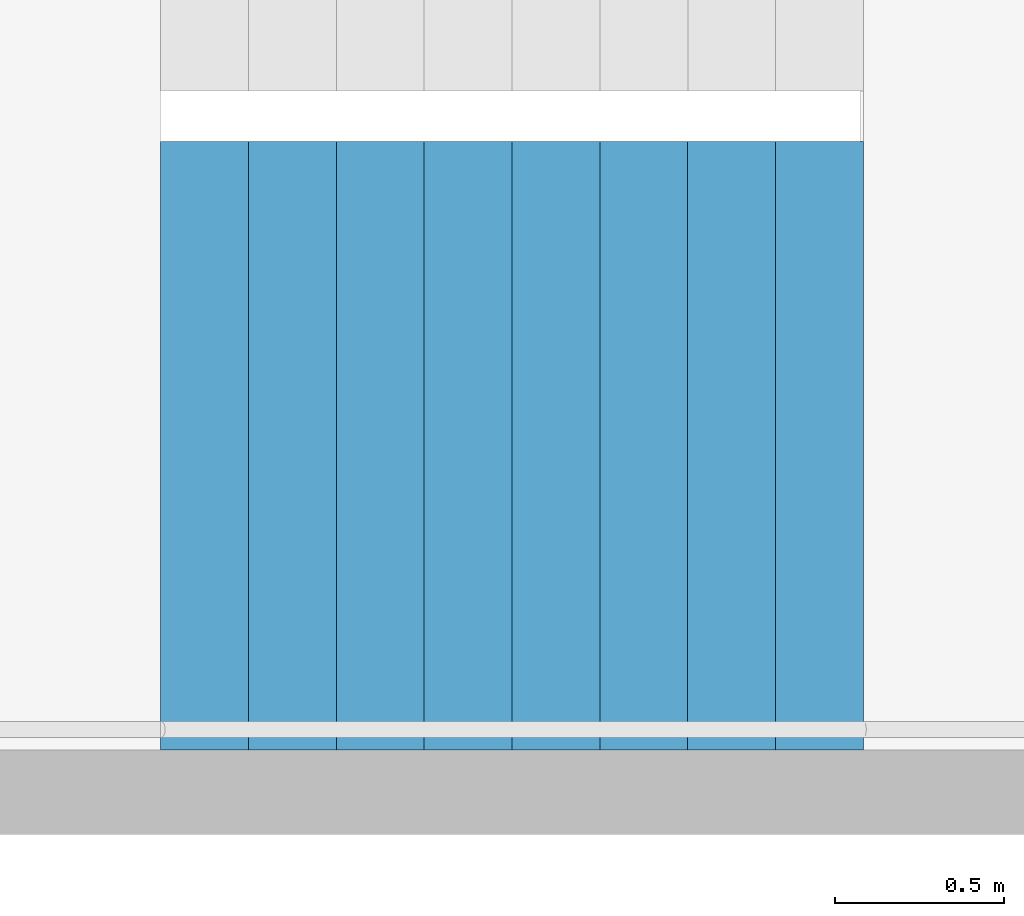
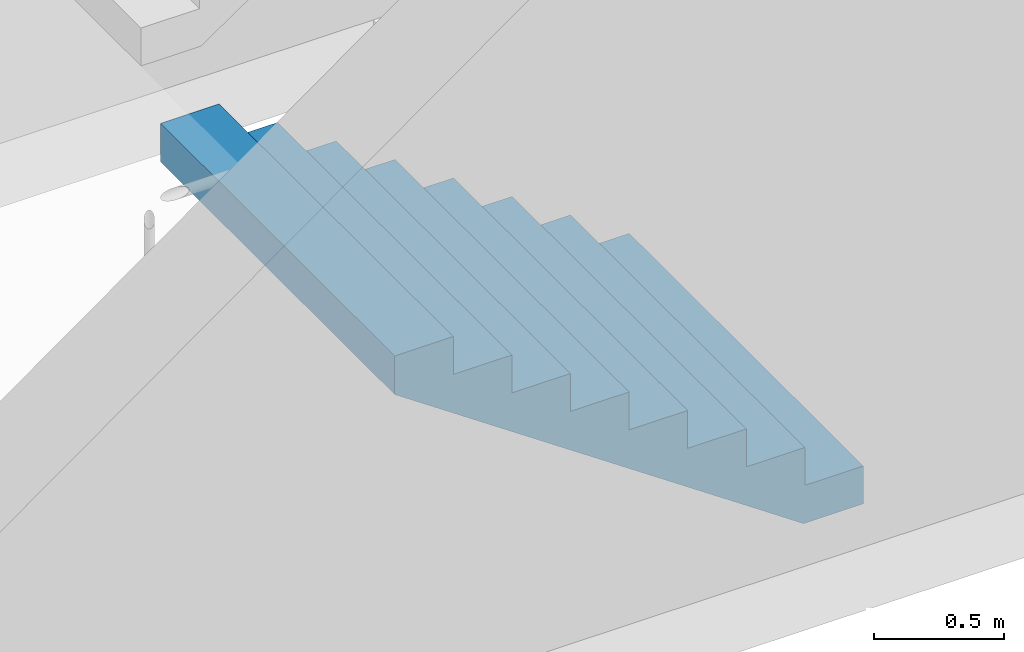
# One storey, part 29 of 44: 1 stair flight, 1 element without a shape of its own.
"""IFC4 building model written with IfcOpenShell, lengths in metres."""

from ifc_helpers import new_model, si_unit, direction, frame, origin, place, context, subcontext, project, spatial, triangles, material, type_object, element, aggregate, save


model = new_model("IFC4")

# Units and contexts
model_context = context("Model", 3, precision=1e-05, world=origin(), true_north=direction((0.0, 1.0)))
body_context = subcontext(model_context, "Body", "Model", "MODEL_VIEW")
ifc_project = project(units=[si_unit("LENGTHUNIT", "METRE"), si_unit("AREAUNIT", "SQUARE_METRE"), si_unit("VOLUMEUNIT", "CUBIC_METRE"), si_unit("PLANEANGLEUNIT", "RADIAN"), si_unit("MASSUNIT", "GRAM", prefix="KILO")], contexts=[model_context])

# Site, building, storey
site_placement = place(None, origin())
site = spatial("IfcSite", under=ifc_project, at=site_placement, CompositionType="ELEMENT")
building_placement = place(site_placement, origin())
building = spatial("IfcBuilding", under=site, at=building_placement, Name="Hakoniwa Tower and Hamabe Station Hall", CompositionType="ELEMENT")
storey_placement = place(building_placement, frame((0.0, 0.0, 69.0)))
storey = spatial("IfcBuildingStorey", under=building, at=storey_placement, Name="L19", CompositionType="ELEMENT", Elevation=69.0)

# Stair, stair flight
ifc_material_1 = material(Name="Concrete C40", Category="concrete")
stair_type = type_object("IfcStairType", Name="ESCAPE STAIR 1800", PredefinedType="HALF_TURN_STAIR", material=ifc_material_1)
stair_placement = place(storey_placement, origin())
stair = element("IfcStair", 1, at=stair_placement, inside=storey, type_object=stair_type, Name="Escape stair ST-3 L19", PredefinedType="HALF_TURN_STAIR")
ifc_material_2 = material(Name="Concrete C40", Category="concrete")
stair_flight_type = type_object("IfcStairFlightType", Name="STAIR FLIGHT 1800", PredefinedType="STRAIGHT", material=ifc_material_2)
stair_flight_placement = place(storey_placement, frame((24.39990234375, 4.64990234375, 0.0), z_axis=(0.0, 0.0, 1.0), x_axis=(-1.0, 0.0, 0.0)))
stair_flight = element("IfcStairFlight", 2, at=stair_flight_placement, type_object=stair_flight_type, Name="ST-3 flight 1", NumberOfRisers=9, NumberOfTreads=8, PredefinedType="STRAIGHT", RiserHeight=0.177777778, TreadLength=0.26, context=body_context, shape_type="Tessellation", body=[
    triangles([(0.0, 0.89990234375, 0.0), (0.260009765625, 0.89990234375, 0.0), (0.265625, 0.89990234375, 0.0), (0.52001953125, 0.89990234375, 0.174072265625), (0.780029296875, 0.89990234375, 0.351806640625), (1.0400390625, 0.89990234375, 0.529541015625), (1.300048828125, 0.89990234375, 0.707275390625), (1.56005859375, 0.89990234375, 0.885009765625), (1.820068359375, 0.89990234375, 1.062744140625), (2.080078125, 0.89990234375, 1.24072265625), (2.080078125, 0.89990234375, 1.422119140625), (1.820068359375, 0.89990234375, 1.422119140625), (1.820068359375, 0.89990234375, 1.244384765625), (1.56005859375, 0.89990234375, 1.244384765625), (1.56005859375, 0.89990234375, 1.066650390625), (1.300048828125, 0.89990234375, 1.066650390625), (1.300048828125, 0.89990234375, 0.888916015625), (1.0400390625, 0.89990234375, 0.888916015625), (1.0400390625, 0.89990234375, 0.711181640625), (0.780029296875, 0.89990234375, 0.711181640625), (0.780029296875, 0.89990234375, 0.533447265625), (0.52001953125, 0.89990234375, 0.533447265625), (0.52001953125, 0.89990234375, 0.35546875), (0.265625, 0.89990234375, 0.35546875), (0.260009765625, 0.89990234375, 0.35546875), (0.260009765625, 0.89990234375, 0.177734375), (0.0, 0.89990234375, 0.177734375), (0.0, 0.06005859375, 0.0), (0.260009765625, 0.06005859375, 0.0), (0.265625, 0.06005859375, 0.0), (0.52001953125, 0.06005859375, 0.174072265625), (0.780029296875, 0.06005859375, 0.351806640625), (1.0400390625, 0.06005859375, 0.529541015625), (1.300048828125, 0.06005859375, 0.707275390625), (1.56005859375, 0.06005859375, 0.885009765625), (1.820068359375, 0.06005859375, 1.062744140625), (2.080078125, 0.06005859375, 1.24072265625), (2.080078125, 0.06005859375, 1.422119140625), (1.820068359375, 0.06005859375, 1.422119140625), (1.820068359375, 0.06005859375, 1.244384765625), (1.56005859375, 0.06005859375, 1.244384765625), (1.56005859375, 0.06005859375, 1.066650390625), (1.300048828125, 0.06005859375, 1.066650390625), (1.300048828125, 0.06005859375, 0.888916015625), (1.0400390625, 0.06005859375, 0.888916015625), (1.0400390625, 0.06005859375, 0.711181640625), (0.780029296875, 0.06005859375, 0.711181640625), (0.780029296875, 0.06005859375, 0.533447265625), (0.52001953125, 0.06005859375, 0.533447265625), (0.52001953125, 0.06005859375, 0.35546875), (0.265625, 0.06005859375, 0.35546875), (0.260009765625, 0.06005859375, 0.35546875), (0.260009765625, 0.06005859375, 0.177734375), (0.0, 0.06005859375, 0.177734375), (0.0, 0.04296875, 0.0), (0.260009765625, 0.04296875, 0.0), (0.265625, 0.04296875, 0.0), (0.52001953125, 0.04296875, 0.174072265625), (0.780029296875, 0.04296875, 0.351806640625), (1.0400390625, 0.04296875, 0.529541015625), (1.300048828125, 0.04296875, 0.707275390625), (1.56005859375, 0.04296875, 0.885009765625), (1.820068359375, 0.04296875, 1.062744140625), (2.080078125, 0.04296875, 1.24072265625), (2.080078125, 0.04296875, 1.422119140625), (1.820068359375, 0.04296875, 1.422119140625), (1.820068359375, 0.04296875, 1.244384765625), (1.56005859375, 0.04296875, 1.244384765625), (1.56005859375, 0.04296875, 1.066650390625), (1.300048828125, 0.04296875, 1.066650390625), (1.300048828125, 0.04296875, 0.888916015625), (1.0400390625, 0.04296875, 0.888916015625), (1.0400390625, 0.04296875, 0.711181640625), (0.780029296875, 0.04296875, 0.711181640625), (0.780029296875, 0.04296875, 0.533447265625), (0.52001953125, 0.04296875, 0.533447265625), (0.52001953125, 0.04296875, 0.35546875), (0.265625, 0.04296875, 0.35546875), (0.260009765625, 0.04296875, 0.35546875), (0.260009765625, 0.04296875, 0.177734375), (0.0, 0.04296875, 0.177734375), (0.0, 0.025634765625, 0.0), (0.260009765625, 0.025634765625, 0.0), (0.265625, 0.025634765625, 0.0), (0.52001953125, 0.025634765625, 0.174072265625), (0.780029296875, 0.025634765625, 0.351806640625), (1.0400390625, 0.025634765625, 0.529541015625), (1.300048828125, 0.025634765625, 0.707275390625), (1.56005859375, 0.025634765625, 0.885009765625), (1.820068359375, 0.025634765625, 1.062744140625), (2.080078125, 0.025634765625, 1.24072265625), (2.080078125, 0.025634765625, 1.422119140625), (1.820068359375, 0.025634765625, 1.422119140625), (1.820068359375, 0.025634765625, 1.244384765625), (1.56005859375, 0.025634765625, 1.244384765625), (1.56005859375, 0.025634765625, 1.066650390625), (1.300048828125, 0.025634765625, 1.066650390625), (1.300048828125, 0.025634765625, 0.888916015625), (1.0400390625, 0.025634765625, 0.888916015625), (1.0400390625, 0.025634765625, 0.711181640625), (0.780029296875, 0.025634765625, 0.711181640625), (0.780029296875, 0.025634765625, 0.533447265625), (0.52001953125, 0.025634765625, 0.533447265625), (0.52001953125, 0.025634765625, 0.35546875), (0.265625, 0.025634765625, 0.35546875), (0.260009765625, 0.025634765625, 0.35546875), (0.260009765625, 0.025634765625, 0.177734375), (0.0, 0.025634765625, 0.177734375), (0.0, 0.008544921875, 0.0), (0.260009765625, 0.008544921875, 0.0), (0.265625, 0.008544921875, 0.0), (0.52001953125, 0.008544921875, 0.174072265625), (0.780029296875, 0.008544921875, 0.351806640625), (1.0400390625, 0.008544921875, 0.529541015625), (1.300048828125, 0.008544921875, 0.707275390625), (1.56005859375, 0.008544921875, 0.885009765625), (1.820068359375, 0.008544921875, 1.062744140625), (2.080078125, 0.008544921875, 1.24072265625), (2.080078125, 0.008544921875, 1.422119140625), (1.820068359375, 0.008544921875, 1.422119140625), (1.820068359375, 0.008544921875, 1.244384765625), (1.56005859375, 0.008544921875, 1.244384765625), (1.56005859375, 0.008544921875, 1.066650390625), (1.300048828125, 0.008544921875, 1.066650390625), (1.300048828125, 0.008544921875, 0.888916015625), (1.0400390625, 0.008544921875, 0.888916015625), (1.0400390625, 0.008544921875, 0.711181640625), (0.780029296875, 0.008544921875, 0.711181640625), (0.780029296875, 0.008544921875, 0.533447265625), (0.52001953125, 0.008544921875, 0.533447265625), (0.52001953125, 0.008544921875, 0.35546875), (0.265625, 0.008544921875, 0.35546875), (0.260009765625, 0.008544921875, 0.35546875), (0.260009765625, 0.008544921875, 0.177734375), (0.0, 0.008544921875, 0.177734375), (0.0, -0.008544921875, 0.0), (0.260009765625, -0.008544921875, 0.0), (0.265625, -0.008544921875, 0.0), (0.52001953125, -0.008544921875, 0.174072265625), (0.780029296875, -0.008544921875, 0.351806640625), (1.0400390625, -0.008544921875, 0.529541015625), (1.300048828125, -0.008544921875, 0.707275390625), (1.56005859375, -0.008544921875, 0.885009765625), (1.820068359375, -0.008544921875, 1.062744140625), (2.080078125, -0.008544921875, 1.24072265625), (2.080078125, -0.008544921875, 1.422119140625), (1.820068359375, -0.008544921875, 1.422119140625), (1.820068359375, -0.008544921875, 1.244384765625), (1.56005859375, -0.008544921875, 1.244384765625), (1.56005859375, -0.008544921875, 1.066650390625), (1.300048828125, -0.008544921875, 1.066650390625), (1.300048828125, -0.008544921875, 0.888916015625), (1.0400390625, -0.008544921875, 0.888916015625), (1.0400390625, -0.008544921875, 0.711181640625), (0.780029296875, -0.008544921875, 0.711181640625), (0.780029296875, -0.008544921875, 0.533447265625), (0.52001953125, -0.008544921875, 0.533447265625), (0.52001953125, -0.008544921875, 0.35546875), (0.265625, -0.008544921875, 0.35546875), (0.260009765625, -0.008544921875, 0.35546875), (0.260009765625, -0.008544921875, 0.177734375), (0.0, -0.008544921875, 0.177734375), (0.0, -0.025634765625, 0.0), (0.260009765625, -0.025634765625, 0.0), (0.265625, -0.025634765625, 0.0), (0.52001953125, -0.025634765625, 0.174072265625), (0.780029296875, -0.025634765625, 0.351806640625), (1.0400390625, -0.025634765625, 0.529541015625), (1.300048828125, -0.025634765625, 0.707275390625), (1.56005859375, -0.025634765625, 0.885009765625), (1.820068359375, -0.025634765625, 1.062744140625), (2.080078125, -0.025634765625, 1.24072265625), (2.080078125, -0.025634765625, 1.422119140625), (1.820068359375, -0.025634765625, 1.422119140625), (1.820068359375, -0.025634765625, 1.244384765625), (1.56005859375, -0.025634765625, 1.244384765625), (1.56005859375, -0.025634765625, 1.066650390625), (1.300048828125, -0.025634765625, 1.066650390625), (1.300048828125, -0.025634765625, 0.888916015625), (1.0400390625, -0.025634765625, 0.888916015625), (1.0400390625, -0.025634765625, 0.711181640625), (0.780029296875, -0.025634765625, 0.711181640625), (0.780029296875, -0.025634765625, 0.533447265625), (0.52001953125, -0.025634765625, 0.533447265625), (0.52001953125, -0.025634765625, 0.35546875), (0.265625, -0.025634765625, 0.35546875), (0.260009765625, -0.025634765625, 0.35546875), (0.260009765625, -0.025634765625, 0.177734375), (0.0, -0.025634765625, 0.177734375), (0.0, -0.04296875, 0.0), (0.260009765625, -0.04296875, 0.0), (0.265625, -0.04296875, 0.0), (0.52001953125, -0.04296875, 0.174072265625), (0.780029296875, -0.04296875, 0.351806640625), (1.0400390625, -0.04296875, 0.529541015625), (1.300048828125, -0.04296875, 0.707275390625), (1.56005859375, -0.04296875, 0.885009765625), (1.820068359375, -0.04296875, 1.062744140625), (2.080078125, -0.04296875, 1.24072265625), (2.080078125, -0.04296875, 1.422119140625), (1.820068359375, -0.04296875, 1.422119140625), (1.820068359375, -0.04296875, 1.244384765625), (1.56005859375, -0.04296875, 1.244384765625), (1.56005859375, -0.04296875, 1.066650390625), (1.300048828125, -0.04296875, 1.066650390625), (1.300048828125, -0.04296875, 0.888916015625), (1.0400390625, -0.04296875, 0.888916015625), (1.0400390625, -0.04296875, 0.711181640625), (0.780029296875, -0.04296875, 0.711181640625), (0.780029296875, -0.04296875, 0.533447265625), (0.52001953125, -0.04296875, 0.533447265625), (0.52001953125, -0.04296875, 0.35546875), (0.265625, -0.04296875, 0.35546875), (0.260009765625, -0.04296875, 0.35546875), (0.260009765625, -0.04296875, 0.177734375), (0.0, -0.04296875, 0.177734375), (0.0, -0.06005859375, 0.0), (0.260009765625, -0.06005859375, 0.0), (0.265625, -0.06005859375, 0.0), (0.52001953125, -0.06005859375, 0.174072265625), (0.780029296875, -0.06005859375, 0.351806640625), (1.0400390625, -0.06005859375, 0.529541015625), (1.300048828125, -0.06005859375, 0.707275390625), (1.56005859375, -0.06005859375, 0.885009765625), (1.820068359375, -0.06005859375, 1.062744140625), (2.080078125, -0.06005859375, 1.24072265625), (2.080078125, -0.06005859375, 1.422119140625), (1.820068359375, -0.06005859375, 1.422119140625), (1.820068359375, -0.06005859375, 1.244384765625), (1.56005859375, -0.06005859375, 1.244384765625), (1.56005859375, -0.06005859375, 1.066650390625), (1.300048828125, -0.06005859375, 1.066650390625), (1.300048828125, -0.06005859375, 0.888916015625), (1.0400390625, -0.06005859375, 0.888916015625), (1.0400390625, -0.06005859375, 0.711181640625), (0.780029296875, -0.06005859375, 0.711181640625), (0.780029296875, -0.06005859375, 0.533447265625), (0.52001953125, -0.06005859375, 0.533447265625), (0.52001953125, -0.06005859375, 0.35546875), (0.265625, -0.06005859375, 0.35546875), (0.260009765625, -0.06005859375, 0.35546875), (0.260009765625, -0.06005859375, 0.177734375), (0.0, -0.06005859375, 0.177734375), (0.0, -0.89990234375, 0.0), (0.260009765625, -0.89990234375, 0.0), (0.265625, -0.89990234375, 0.0), (0.52001953125, -0.89990234375, 0.174072265625), (0.780029296875, -0.89990234375, 0.351806640625), (1.0400390625, -0.89990234375, 0.529541015625), (1.300048828125, -0.89990234375, 0.707275390625), (1.56005859375, -0.89990234375, 0.885009765625), (1.820068359375, -0.89990234375, 1.062744140625), (2.080078125, -0.89990234375, 1.24072265625), (2.080078125, -0.89990234375, 1.422119140625), (1.820068359375, -0.89990234375, 1.422119140625), (1.820068359375, -0.89990234375, 1.244384765625), (1.56005859375, -0.89990234375, 1.244384765625), (1.56005859375, -0.89990234375, 1.066650390625), (1.300048828125, -0.89990234375, 1.066650390625), (1.300048828125, -0.89990234375, 0.888916015625), (1.0400390625, -0.89990234375, 0.888916015625), (1.0400390625, -0.89990234375, 0.711181640625), (0.780029296875, -0.89990234375, 0.711181640625), (0.780029296875, -0.89990234375, 0.533447265625), (0.52001953125, -0.89990234375, 0.533447265625), (0.52001953125, -0.89990234375, 0.35546875), (0.265625, -0.89990234375, 0.35546875), (0.260009765625, -0.89990234375, 0.35546875), (0.260009765625, -0.89990234375, 0.177734375), (0.0, -0.89990234375, 0.177734375)], [[2, 27, 26], [245, 269, 270], [2, 1, 27], [245, 270, 244], [3, 25, 24], [246, 267, 268], [3, 26, 25], [246, 268, 269], [3, 2, 26], [246, 269, 245], [4, 24, 23], [247, 266, 267], [4, 3, 24], [247, 267, 246], [5, 22, 21], [248, 264, 265], [5, 23, 22], [248, 265, 266], [5, 4, 23], [248, 266, 247], [6, 20, 19], [249, 262, 263], [6, 21, 20], [249, 263, 264], [6, 5, 21], [249, 264, 248], [7, 18, 17], [250, 260, 261], [7, 19, 18], [250, 261, 262], [7, 6, 19], [250, 262, 249], [8, 16, 15], [251, 258, 259], [8, 17, 16], [251, 259, 260], [8, 7, 17], [251, 260, 250], [9, 14, 13], [252, 256, 257], [9, 15, 14], [252, 257, 258], [9, 8, 15], [252, 258, 251], [10, 12, 11], [253, 254, 255], [10, 13, 12], [253, 255, 256], [10, 9, 13], [253, 256, 252], [1, 2, 29], [1, 29, 28], [28, 29, 56], [28, 56, 55], [55, 56, 83], [55, 83, 82], [82, 83, 110], [82, 110, 109], [109, 110, 137], [109, 137, 136], [136, 137, 164], [136, 164, 163], [163, 164, 191], [163, 191, 190], [190, 191, 218], [190, 218, 217], [217, 218, 245], [217, 245, 244], [2, 3, 30], [2, 30, 29], [29, 30, 57], [29, 57, 56], [56, 57, 84], [56, 84, 83], [83, 84, 111], [83, 111, 110], [110, 111, 138], [110, 138, 137], [137, 138, 165], [137, 165, 164], [164, 165, 192], [164, 192, 191], [191, 192, 219], [191, 219, 218], [218, 219, 246], [218, 246, 245], [3, 4, 31], [3, 31, 30], [30, 31, 58], [30, 58, 57], [57, 58, 85], [57, 85, 84], [84, 85, 112], [84, 112, 111], [111, 112, 139], [111, 139, 138], [138, 139, 166], [138, 166, 165], [165, 166, 193], [165, 193, 192], [192, 193, 220], [192, 220, 219], [219, 220, 247], [219, 247, 246], [4, 5, 32], [4, 32, 31], [31, 32, 59], [31, 59, 58], [58, 59, 86], [58, 86, 85], [85, 86, 113], [85, 113, 112], [112, 113, 140], [112, 140, 139], [139, 140, 167], [139, 167, 166], [166, 167, 194], [166, 194, 193], [193, 194, 221], [193, 221, 220], [220, 221, 248], [220, 248, 247], [5, 6, 33], [5, 33, 32], [32, 33, 60], [32, 60, 59], [59, 60, 87], [59, 87, 86], [86, 87, 114], [86, 114, 113], [113, 114, 141], [113, 141, 140], [140, 141, 168], [140, 168, 167], [167, 168, 195], [167, 195, 194], [194, 195, 222], [194, 222, 221], [221, 222, 249], [221, 249, 248], [6, 7, 34], [6, 34, 33], [33, 34, 61], [33, 61, 60], [60, 61, 88], [60, 88, 87], [87, 88, 115], [87, 115, 114], [114, 115, 142], [114, 142, 141], [141, 142, 169], [141, 169, 168], [168, 169, 196], [168, 196, 195], [195, 196, 223], [195, 223, 222], [222, 223, 250], [222, 250, 249], [7, 8, 35], [7, 35, 34], [34, 35, 62], [34, 62, 61], [61, 62, 89], [61, 89, 88], [88, 89, 116], [88, 116, 115], [115, 116, 143], [115, 143, 142], [142, 143, 170], [142, 170, 169], [169, 170, 197], [169, 197, 196], [196, 197, 224], [196, 224, 223], [223, 224, 251], [223, 251, 250], [8, 9, 36], [8, 36, 35], [35, 36, 63], [35, 63, 62], [62, 63, 90], [62, 90, 89], [89, 90, 117], [89, 117, 116], [116, 117, 144], [116, 144, 143], [143, 144, 171], [143, 171, 170], [170, 171, 198], [170, 198, 197], [197, 198, 225], [197, 225, 224], [224, 225, 252], [224, 252, 251], [9, 10, 37], [9, 37, 36], [36, 37, 64], [36, 64, 63], [63, 64, 91], [63, 91, 90], [90, 91, 118], [90, 118, 117], [117, 118, 145], [117, 145, 144], [144, 145, 172], [144, 172, 171], [171, 172, 199], [171, 199, 198], [198, 199, 226], [198, 226, 225], [225, 226, 253], [225, 253, 252], [10, 11, 38], [10, 38, 37], [37, 38, 65], [37, 65, 64], [64, 65, 92], [64, 92, 91], [91, 92, 119], [91, 119, 118], [118, 119, 146], [118, 146, 145], [145, 146, 173], [145, 173, 172], [172, 173, 200], [172, 200, 199], [199, 200, 227], [199, 227, 226], [226, 227, 254], [226, 254, 253], [11, 12, 39], [11, 39, 38], [38, 39, 66], [38, 66, 65], [65, 66, 93], [65, 93, 92], [92, 93, 120], [92, 120, 119], [119, 120, 147], [119, 147, 146], [146, 147, 174], [146, 174, 173], [173, 174, 201], [173, 201, 200], [200, 201, 228], [200, 228, 227], [227, 228, 255], [227, 255, 254], [12, 13, 40], [12, 40, 39], [39, 40, 67], [39, 67, 66], [66, 67, 94], [66, 94, 93], [93, 94, 121], [93, 121, 120], [120, 121, 148], [120, 148, 147], [147, 148, 175], [147, 175, 174], [174, 175, 202], [174, 202, 201], [201, 202, 229], [201, 229, 228], [228, 229, 256], [228, 256, 255], [13, 14, 41], [13, 41, 40], [40, 41, 68], [40, 68, 67], [67, 68, 95], [67, 95, 94], [94, 95, 122], [94, 122, 121], [121, 122, 149], [121, 149, 148], [148, 149, 176], [148, 176, 175], [175, 176, 203], [175, 203, 202], [202, 203, 230], [202, 230, 229], [229, 230, 257], [229, 257, 256], [14, 15, 42], [14, 42, 41], [41, 42, 69], [41, 69, 68], [68, 69, 96], [68, 96, 95], [95, 96, 123], [95, 123, 122], [122, 123, 150], [122, 150, 149], [149, 150, 177], [149, 177, 176], [176, 177, 204], [176, 204, 203], [203, 204, 231], [203, 231, 230], [230, 231, 258], [230, 258, 257], [15, 16, 43], [15, 43, 42], [42, 43, 70], [42, 70, 69], [69, 70, 97], [69, 97, 96], [96, 97, 124], [96, 124, 123], [123, 124, 151], [123, 151, 150], [150, 151, 178], [150, 178, 177], [177, 178, 205], [177, 205, 204], [204, 205, 232], [204, 232, 231], [231, 232, 259], [231, 259, 258], [16, 17, 44], [16, 44, 43], [43, 44, 71], [43, 71, 70], [70, 71, 98], [70, 98, 97], [97, 98, 125], [97, 125, 124], [124, 125, 152], [124, 152, 151], [151, 152, 179], [151, 179, 178], [178, 179, 206], [178, 206, 205], [205, 206, 233], [205, 233, 232], [232, 233, 260], [232, 260, 259], [17, 18, 45], [17, 45, 44], [44, 45, 72], [44, 72, 71], [71, 72, 99], [71, 99, 98], [98, 99, 126], [98, 126, 125], [125, 126, 153], [125, 153, 152], [152, 153, 180], [152, 180, 179], [179, 180, 207], [179, 207, 206], [206, 207, 234], [206, 234, 233], [233, 234, 261], [233, 261, 260], [18, 19, 46], [18, 46, 45], [45, 46, 73], [45, 73, 72], [72, 73, 100], [72, 100, 99], [99, 100, 127], [99, 127, 126], [126, 127, 154], [126, 154, 153], [153, 154, 181], [153, 181, 180], [180, 181, 208], [180, 208, 207], [207, 208, 235], [207, 235, 234], [234, 235, 262], [234, 262, 261], [19, 20, 47], [19, 47, 46], [46, 47, 74], [46, 74, 73], [73, 74, 101], [73, 101, 100], [100, 101, 128], [100, 128, 127], [127, 128, 155], [127, 155, 154], [154, 155, 182], [154, 182, 181], [181, 182, 209], [181, 209, 208], [208, 209, 236], [208, 236, 235], [235, 236, 263], [235, 263, 262], [20, 21, 48], [20, 48, 47], [47, 48, 75], [47, 75, 74], [74, 75, 102], [74, 102, 101], [101, 102, 129], [101, 129, 128], [128, 129, 156], [128, 156, 155], [155, 156, 183], [155, 183, 182], [182, 183, 210], [182, 210, 209], [209, 210, 237], [209, 237, 236], [236, 237, 264], [236, 264, 263], [21, 22, 49], [21, 49, 48], [48, 49, 76], [48, 76, 75], [75, 76, 103], [75, 103, 102], [102, 103, 130], [102, 130, 129], [129, 130, 157], [129, 157, 156], [156, 157, 184], [156, 184, 183], [183, 184, 211], [183, 211, 210], [210, 211, 238], [210, 238, 237], [237, 238, 265], [237, 265, 264], [22, 23, 50], [22, 50, 49], [49, 50, 77], [49, 77, 76], [76, 77, 104], [76, 104, 103], [103, 104, 131], [103, 131, 130], [130, 131, 158], [130, 158, 157], [157, 158, 185], [157, 185, 184], [184, 185, 212], [184, 212, 211], [211, 212, 239], [211, 239, 238], [238, 239, 266], [238, 266, 265], [23, 24, 51], [23, 51, 50], [50, 51, 78], [50, 78, 77], [77, 78, 105], [77, 105, 104], [104, 105, 132], [104, 132, 131], [131, 132, 159], [131, 159, 158], [158, 159, 186], [158, 186, 185], [185, 186, 213], [185, 213, 212], [212, 213, 240], [212, 240, 239], [239, 240, 267], [239, 267, 266], [24, 25, 52], [24, 52, 51], [51, 52, 79], [51, 79, 78], [78, 79, 106], [78, 106, 105], [105, 106, 133], [105, 133, 132], [132, 133, 160], [132, 160, 159], [159, 160, 187], [159, 187, 186], [186, 187, 214], [186, 214, 213], [213, 214, 241], [213, 241, 240], [240, 241, 268], [240, 268, 267], [25, 26, 53], [25, 53, 52], [52, 53, 80], [52, 80, 79], [79, 80, 107], [79, 107, 106], [106, 107, 134], [106, 134, 133], [133, 134, 161], [133, 161, 160], [160, 161, 188], [160, 188, 187], [187, 188, 215], [187, 215, 214], [214, 215, 242], [214, 242, 241], [241, 242, 269], [241, 269, 268], [26, 27, 54], [26, 54, 53], [53, 54, 81], [53, 81, 80], [80, 81, 108], [80, 108, 107], [107, 108, 135], [107, 135, 134], [134, 135, 162], [134, 162, 161], [161, 162, 189], [161, 189, 188], [188, 189, 216], [188, 216, 215], [215, 216, 243], [215, 243, 242], [242, 243, 270], [242, 270, 269], [27, 1, 28], [27, 28, 54], [54, 28, 55], [54, 55, 81], [81, 55, 82], [81, 82, 108], [108, 82, 109], [108, 109, 135], [135, 109, 136], [135, 136, 162], [162, 136, 163], [162, 163, 189], [189, 163, 190], [189, 190, 216], [216, 190, 217], [216, 217, 243], [243, 217, 244], [243, 244, 270]], closed=True),
])
aggregate(stair, [stair_flight])

save(model, "model.ifc")
